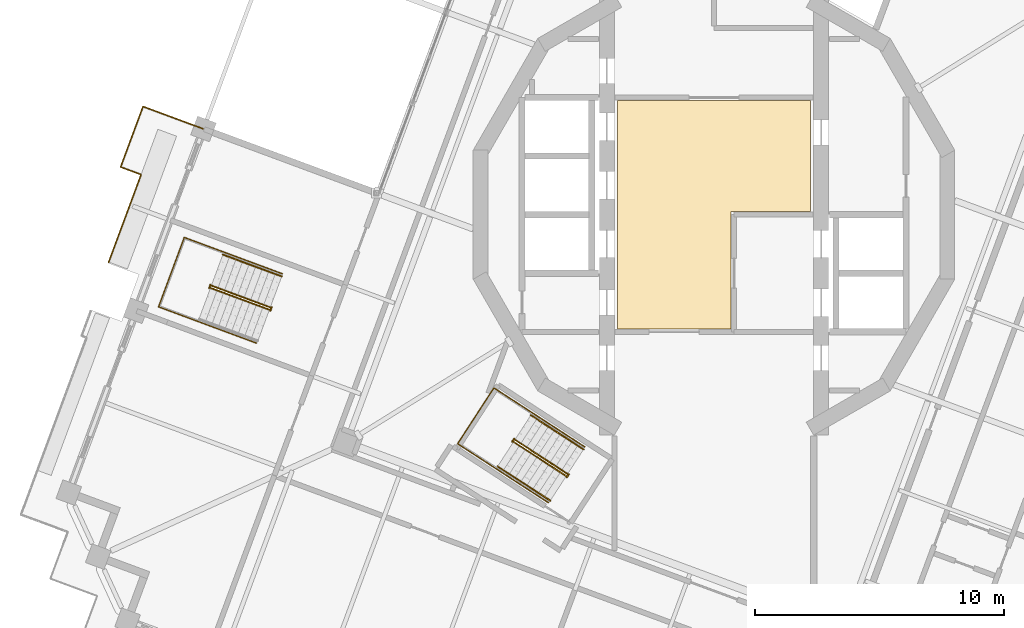
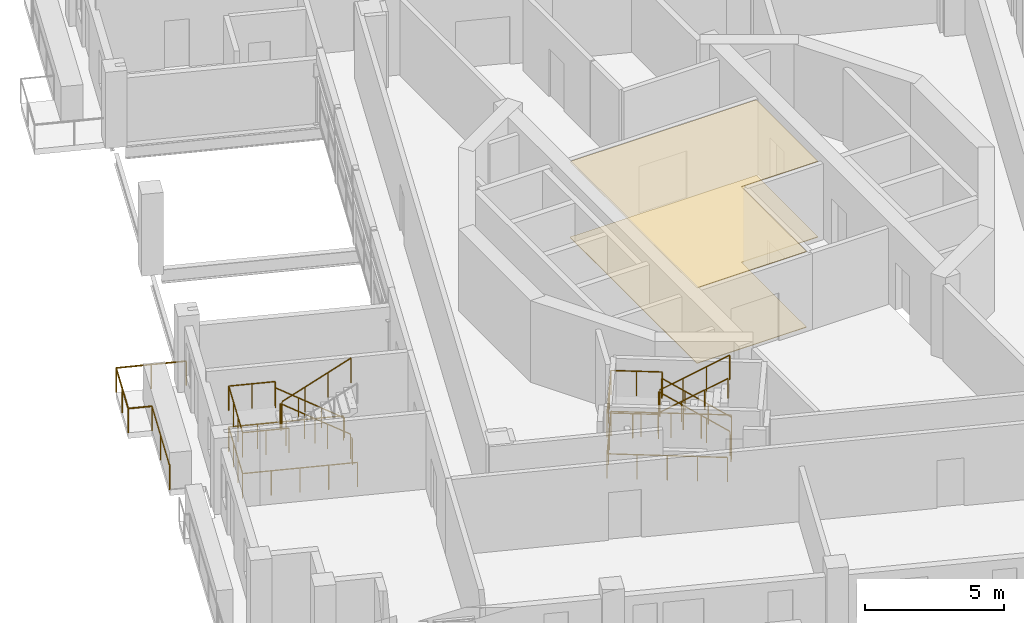
# One storey, part 16 of 20: 14 railings, 2 coverings.
"""IFC4 building model written with IfcOpenShell, lengths in metres."""

from ifc_helpers import new_model, si_unit, direction, frame, origin, origin_2d, place, context, subcontext, project, spatial, polyline, circle, outline, extrude, material, layer, layer_set, type_object, element, save


model = new_model("IFC4")

# Units and contexts
model_context = context("Model", 3, precision=1e-05, world=origin(), true_north=direction((0.0, 1.0)))
body_context = subcontext(model_context, "Body", "Model", "MODEL_VIEW")
ifc_project = project(units=[si_unit("LENGTHUNIT", "METRE"), si_unit("AREAUNIT", "SQUARE_METRE"), si_unit("VOLUMEUNIT", "CUBIC_METRE"), si_unit("PLANEANGLEUNIT", "RADIAN"), si_unit("MASSUNIT", "GRAM", prefix="KILO")], contexts=[model_context])

# Site, building, storey
site_placement = place(None, origin())
site = spatial("IfcSite", under=ifc_project, at=site_placement, CompositionType="ELEMENT")
building_placement = place(site_placement, origin())
building = spatial("IfcBuilding", under=site, at=building_placement, Name="Cantera Rosa Tower", CompositionType="ELEMENT")
storey_placement = place(building_placement, frame((0.0, 0.0, 313.300048828125)))
storey = spatial("IfcBuildingStorey", under=building, at=storey_placement, Name="L69", CompositionType="ELEMENT", Elevation=313.300048828125)

# Railings
ifc_material_1 = material(Name="Stainless steel and laminated glass", Category="steel")
railing_type_1 = type_object("IfcRailingType", Name="GUARD 1100", PredefinedType="BALUSTRADE", material=ifc_material_1)
railing_1_placement = place(storey_placement, frame((-24.29150390625, -1.918701171875, 0.0)))
element("IfcRailing", 1, at=railing_1_placement, inside=storey, type_object=railing_type_1, Name="GUARD L69-3", PredefinedType="BALUSTRADE", context=body_context, shape_type="SweptSolid", body=[
    extrude(circle(Radius=0.030029296875, at=origin_2d()), frame((0.0, 0.0, 1.070068359375), z_axis=(0.347529903095, 0.937668900228, 0.0), x_axis=(-0.937668900228, 0.347529903095, 0.0)), (0.0, 0.0, 1.0), 3.7626953125),
    extrude(circle(Radius=0.030029296875, at=origin_2d()), frame((1.3076171875, 3.528076171875, 1.070068359375), z_axis=(-0.937752120302, 0.347305284828, 0.0), x_axis=(-0.347305284828, -0.937752120302, 0.0)), (0.0, 0.0, 1.0), 0.876708984375),
    extrude(circle(Radius=0.030029296875, at=origin_2d()), frame((0.485595703125, 3.83251953125, 1.070068359375), z_axis=(0.347501802755, 0.937679314629, 0.0), x_axis=(-0.937679314629, 0.347501802755, 0.0)), (0.0, 0.0, 1.0), 2.587646484375),
    extrude(circle(Radius=0.030029296875, at=origin_2d()), frame((1.384765625, 6.2587890625, 1.070068359375), z_axis=(0.93769369014, -0.347463010219, 0.0), x_axis=(0.347463010219, 0.93769369014, 0.0)), (0.0, 0.0, 1.0), 2.5673828125),
    extrude(circle(Radius=0.02490234375, at=origin_2d()), origin(), (0.0, 0.0, 1.0), 1.0400390625),
    extrude(circle(Radius=0.02490234375, at=origin_2d()), frame((0.65380859375, 1.76416015625, 0.0)), (0.0, 0.0, 1.0), 1.0400390625),
    extrude(circle(Radius=0.02490234375, at=origin_2d()), frame((1.3076171875, 3.528076171875, 0.0)), (0.0, 0.0, 1.0), 1.0400390625),
    extrude(circle(Radius=0.02490234375, at=origin_2d()), frame((0.485595703125, 3.83251953125, 0.0)), (0.0, 0.0, 1.0), 1.0400390625),
    extrude(circle(Radius=0.02490234375, at=origin_2d()), frame((0.93505859375, 5.045654296875, 0.0)), (0.0, 0.0, 1.0), 1.0400390625),
    extrude(circle(Radius=0.02490234375, at=origin_2d()), frame((1.384765625, 6.2587890625, 0.0)), (0.0, 0.0, 1.0), 1.0400390625),
    extrude(circle(Radius=0.02490234375, at=origin_2d()), frame((2.58837890625, 5.812744140625, 0.0)), (0.0, 0.0, 1.0), 1.0400390625),
    extrude(circle(Radius=0.02490234375, at=origin_2d()), frame((3.792236328125, 5.36669921875, 0.0)), (0.0, 0.0, 1.0), 1.0400390625),
])
ifc_material_2 = material(Name="Steel S355J2 (EN 10025-2)", Category="steel")
railing_type_2 = type_object("IfcRailingType", Name="STAIR GUARD 1100", PredefinedType="GUARDRAIL", material=ifc_material_2)
railing_2_placement = place(storey_placement, frame((-17.802490234375, -3.721923828125, 0.179931640625)))
element("IfcRailing", 2, at=railing_2_placement, inside=storey, type_object=railing_type_2, Name="L69 ST-63 stair guard 1", PredefinedType="GUARDRAIL", context=body_context, shape_type="SweptSolid", body=[
    extrude(circle(Radius=0.02392578125, at=origin_2d()), frame((0.0, 0.0, 1.076171875), z_axis=(-0.788747577403, 0.292306804437, 0.540771662738), x_axis=(-0.347500508527, -0.937679794265, 0.0)), (0.0, 0.0, 1.0), 2.995849609375),
    extrude(circle(Radius=0.02392578125, at=origin_2d()), frame((-2.363037109375, 0.875732421875, 2.6962890625), z_axis=(-0.671593765389, 0.740919573429, 0.0), x_axis=(-0.740919573429, -0.671593765389, 0.0)), (0.0, 0.0, 1.0), 0.056396484375),
    extrude(circle(Radius=0.02392578125, at=origin_2d()), frame((-2.40087890625, 0.91748046875, 2.6962890625), z_axis=(-0.348268249601, -0.937394914814, 0.0), x_axis=(0.937394914814, -0.348268249601, 0.0)), (0.0, 0.0, 1.0), 0.14990234375),
    extrude(circle(Radius=0.02099609375, at=origin_2d()), origin(), (0.0, 0.0, 1.0), 1.052001953125),
    extrude(circle(Radius=0.02099609375, at=origin_2d()), frame((-0.78759765625, 0.2919921875, 0.5400390625)), (0.0, 0.0, 1.0), 1.052001953125),
    extrude(circle(Radius=0.02099609375, at=origin_2d()), frame((-1.575439453125, 0.583740234375, 1.080078125)), (0.0, 0.0, 1.0), 1.052001953125),
    extrude(circle(Radius=0.02099609375, at=origin_2d()), frame((-2.363037109375, 0.875732421875, 1.6201171875)), (0.0, 0.0, 1.0), 1.052001953125),
    extrude(circle(Radius=0.02099609375, at=origin_2d()), frame((-2.40087890625, 0.91748046875, 1.6201171875)), (0.0, 0.0, 1.0), 1.052001953125),
    extrude(circle(Radius=0.02099609375, at=origin_2d()), frame((-2.453125, 0.77685546875, 1.6201171875)), (0.0, 0.0, 1.0), 1.052001953125),
])
railing_3_placement = place(storey_placement, frame((-20.19970703125, -2.93798828125, 1.97998046875)))
element("IfcRailing", 3, at=railing_3_placement, inside=storey, type_object=railing_type_2, Name="L69 ST-63 stair guard 2", PredefinedType="GUARDRAIL", context=body_context, shape_type="SweptSolid", body=[
    extrude(circle(Radius=0.02392578125, at=origin_2d()), frame((0.0, 0.0, 1.076171875), z_axis=(0.78878233546, -0.292319685639, 0.540713998944), x_axis=(0.347500508527, 0.937679794265, 0.0)), (0.0, 0.0, 1.0), 2.995849609375),
    extrude(circle(Radius=0.02099609375, at=origin_2d()), origin(), (0.0, 0.0, 1.0), 1.052001953125),
    extrude(circle(Radius=0.02099609375, at=origin_2d()), frame((0.78759765625, -0.2919921875, 0.5400390625)), (0.0, 0.0, 1.0), 1.052001953125),
    extrude(circle(Radius=0.02099609375, at=origin_2d()), frame((1.575439453125, -0.583740234375, 1.079833984375)), (0.0, 0.0, 1.0), 1.052001953125),
    extrude(circle(Radius=0.02099609375, at=origin_2d()), frame((2.363037109375, -0.875732421875, 1.619873046875)), (0.0, 0.0, 1.0), 1.052001953125),
])
railing_4_placement = place(storey_placement, frame((-17.74658203125, -3.71484375, 0.0)))
element("IfcRailing", 4, at=railing_4_placement, inside=storey, type_object=railing_type_2, Name="L69 ST-63 stair guard 3", PredefinedType="GUARDRAIL", context=body_context, shape_type="SweptSolid", body=[
    extrude(circle(Radius=0.02392578125, at=origin_2d()), frame((0.0, 0.0, 1.076171875), z_axis=(-0.348268249601, -0.937394914814, 0.0), x_axis=(0.937394914814, -0.348268249601, 0.0)), (0.0, 0.0, 1.0), 0.14990234375),
    extrude(circle(Radius=0.02099609375, at=origin_2d()), origin(), (0.0, 0.0, 1.0), 1.052001953125),
    extrude(circle(Radius=0.02099609375, at=origin_2d()), frame((-0.05224609375, -0.140625, 0.0)), (0.0, 0.0, 1.0), 1.052001953125),
])
railing_5_placement = place(storey_placement, frame((-17.31494140625, -2.37109375, 0.0)))
element("IfcRailing", 5, at=railing_5_placement, inside=storey, type_object=railing_type_2, Name="L69 ST-63 stair guard 4", PredefinedType="GUARDRAIL", context=body_context, shape_type="SweptSolid", body=[
    extrude(circle(Radius=0.02392578125, at=origin_2d()), frame((0.0, 0.0, 1.076171875), z_axis=(-0.937682096729, 0.3474942956, 0.0), x_axis=(-0.3474942956, -0.937682096729, 0.0)), (0.0, 0.0, 1.0), 4.197998046875),
    extrude(circle(Radius=0.02392578125, at=origin_2d()), frame((-3.936279296875, 1.458740234375, 1.076171875), z_axis=(-0.347472311651, -0.937690243436, 0.0), x_axis=(0.937690243436, -0.347472311651, 0.0)), (0.0, 0.0, 1.0), 2.969970703125),
    extrude(circle(Radius=0.02392578125, at=origin_2d()), frame((-4.96826171875, -1.326171875, 1.076171875), z_axis=(0.937682096729, -0.3474942956, 0.0), x_axis=(0.3474942956, 0.937682096729, 0.0)), (0.0, 0.0, 1.0), 4.197998046875),
    extrude(circle(Radius=0.02099609375, at=origin_2d()), origin(), (0.0, 0.0, 1.0), 1.052001953125),
    extrude(circle(Radius=0.02099609375, at=origin_2d()), frame((-0.984130859375, 0.36474609375, 0.0)), (0.0, 0.0, 1.0), 1.052001953125),
    extrude(circle(Radius=0.02099609375, at=origin_2d()), frame((-1.96826171875, 0.7294921875, 0.0)), (0.0, 0.0, 1.0), 1.052001953125),
    extrude(circle(Radius=0.02099609375, at=origin_2d()), frame((-2.9521484375, 1.093994140625, 0.0)), (0.0, 0.0, 1.0), 1.052001953125),
    extrude(circle(Radius=0.02099609375, at=origin_2d()), frame((-3.936279296875, 1.458740234375, 0.0)), (0.0, 0.0, 1.0), 1.052001953125),
    extrude(circle(Radius=0.02099609375, at=origin_2d()), frame((-4.2802734375, 0.530517578125, 0.0)), (0.0, 0.0, 1.0), 1.052001953125),
    extrude(circle(Radius=0.02099609375, at=origin_2d()), frame((-4.624267578125, -0.39794921875, 0.0)), (0.0, 0.0, 1.0), 1.052001953125),
    extrude(circle(Radius=0.02099609375, at=origin_2d()), frame((-4.96826171875, -1.326171875, 0.0)), (0.0, 0.0, 1.0), 1.052001953125),
    extrude(circle(Radius=0.02099609375, at=origin_2d()), frame((-3.984130859375, -1.69091796875, 0.0)), (0.0, 0.0, 1.0), 1.052001953125),
    extrude(circle(Radius=0.02099609375, at=origin_2d()), frame((-3.0, -2.0556640625, 0.0)), (0.0, 0.0, 1.0), 1.052001953125),
    extrude(circle(Radius=0.02099609375, at=origin_2d()), frame((-2.01611328125, -2.420166015625, 0.0)), (0.0, 0.0, 1.0), 1.052001953125),
    extrude(circle(Radius=0.02099609375, at=origin_2d()), frame((-1.031982421875, -2.784912109375, 0.0)), (0.0, 0.0, 1.0), 1.052001953125),
])
railing_6_placement = place(storey_placement, frame((-19.6552734375, -1.50390625, 1.800048828125)))
element("IfcRailing", 6, at=railing_6_placement, inside=storey, type_object=railing_type_2, Name="L69 ST-63 stair guard 5", PredefinedType="GUARDRAIL", context=body_context, shape_type="SweptSolid", body=[
    extrude(circle(Radius=0.02392578125, at=origin_2d()), frame((0.0, 0.0, 1.076171875), z_axis=(-0.937660486946, 0.347552602091, 0.0), x_axis=(-0.347552602091, -0.937660486946, 0.0)), (0.0, 0.0, 1.0), 1.7021484375),
    extrude(circle(Radius=0.02392578125, at=origin_2d()), frame((-1.595947265625, 0.591552734375, 1.076171875), z_axis=(-0.347472311651, -0.937690243436, 0.0), x_axis=(0.937690243436, -0.347472311651, 0.0)), (0.0, 0.0, 1.0), 2.969970703125),
    extrude(circle(Radius=0.02392578125, at=origin_2d()), frame((-2.6279296875, -2.193359375, 1.076171875), z_axis=(0.937660486946, -0.347552602091, 0.0), x_axis=(0.347552602091, 0.937660486946, 0.0)), (0.0, 0.0, 1.0), 1.7021484375),
    extrude(circle(Radius=0.02099609375, at=origin_2d()), origin(), (0.0, 0.0, 1.0), 1.052001953125),
    extrude(circle(Radius=0.02099609375, at=origin_2d()), frame((-0.7978515625, 0.2958984375, 0.0)), (0.0, 0.0, 1.0), 1.052001953125),
    extrude(circle(Radius=0.02099609375, at=origin_2d()), frame((-1.595947265625, 0.591552734375, 0.0)), (0.0, 0.0, 1.0), 1.052001953125),
    extrude(circle(Radius=0.02099609375, at=origin_2d()), frame((-1.93994140625, -0.336669921875, 0.0)), (0.0, 0.0, 1.0), 1.052001953125),
    extrude(circle(Radius=0.02099609375, at=origin_2d()), frame((-2.283935546875, -1.26513671875, 0.0)), (0.0, 0.0, 1.0), 1.052001953125),
    extrude(circle(Radius=0.02099609375, at=origin_2d()), frame((-2.6279296875, -2.193359375, 0.0)), (0.0, 0.0, 1.0), 1.052001953125),
    extrude(circle(Radius=0.02099609375, at=origin_2d()), frame((-1.830078125, -2.4892578125, 0.0)), (0.0, 0.0, 1.0), 1.052001953125),
    extrude(circle(Radius=0.02099609375, at=origin_2d()), frame((-1.031982421875, -2.784912109375, 0.0)), (0.0, 0.0, 1.0), 1.052001953125),
])
railing_7_placement = place(storey_placement, frame((-5.873291015625, -10.403076171875, 0.179931640625)))
element("IfcRailing", 7, at=railing_7_placement, inside=storey, type_object=railing_type_2, Name="L69 ST-64 stair guard 1", PredefinedType="GUARDRAIL", context=body_context, shape_type="SweptSolid", body=[
    extrude(circle(Radius=0.02392578125, at=origin_2d()), frame((0.0, 0.0, 1.076171875), z_axis=(-0.705462015847, 0.458138784, 0.540770005448), x_axis=(-0.544644381691, -0.838667095749, 0.0)), (0.0, 0.0, 1.0), 2.995849609375),
    extrude(circle(Radius=0.02392578125, at=origin_2d()), frame((-2.113525390625, 1.37255859375, 2.6962890625), z_axis=(-0.49520304401, 0.868777270193, 0.0), x_axis=(-0.868777270193, -0.49520304401, 0.0)), (0.0, 0.0, 1.0), 0.05615234375),
    extrude(circle(Radius=0.02392578125, at=origin_2d()), frame((-2.141357421875, 1.42138671875, 2.6962890625), z_axis=(-0.544129121324, -0.839001489467, 0.0), x_axis=(0.839001489467, -0.544129121324, 0.0)), (0.0, 0.0, 1.0), 0.14990234375),
    extrude(circle(Radius=0.02099609375, at=origin_2d()), origin(), (0.0, 0.0, 1.0), 1.052001953125),
    extrude(circle(Radius=0.02099609375, at=origin_2d()), frame((-0.70458984375, 0.45751953125, 0.5400390625)), (0.0, 0.0, 1.0), 1.052001953125),
    extrude(circle(Radius=0.02099609375, at=origin_2d()), frame((-1.408935546875, 0.9150390625, 1.080078125)), (0.0, 0.0, 1.0), 1.052001953125),
    extrude(circle(Radius=0.02099609375, at=origin_2d()), frame((-2.113525390625, 1.37255859375, 1.6201171875)), (0.0, 0.0, 1.0), 1.052001953125),
    extrude(circle(Radius=0.02099609375, at=origin_2d()), frame((-2.141357421875, 1.42138671875, 1.6201171875)), (0.0, 0.0, 1.0), 1.052001953125),
    extrude(circle(Radius=0.02099609375, at=origin_2d()), frame((-2.222900390625, 1.295654296875, 1.6201171875)), (0.0, 0.0, 1.0), 1.052001953125),
])
railing_8_placement = place(storey_placement, frame((-8.040283203125, -9.11279296875, 1.97998046875)))
element("IfcRailing", 8, at=railing_8_placement, inside=storey, type_object=railing_type_2, Name="L69 ST-64 stair guard 2", PredefinedType="GUARDRAIL", context=body_context, shape_type="SweptSolid", body=[
    extrude(circle(Radius=0.02392578125, at=origin_2d()), frame((0.0, 0.0, 1.076171875), z_axis=(0.705493103535, -0.458158972863, 0.540712341684), x_axis=(0.544644381691, 0.838667095749, 0.0)), (0.0, 0.0, 1.0), 2.995849609375),
    extrude(circle(Radius=0.02099609375, at=origin_2d()), origin(), (0.0, 0.0, 1.0), 1.052001953125),
    extrude(circle(Radius=0.02099609375, at=origin_2d()), frame((0.70458984375, -0.45751953125, 0.5400390625)), (0.0, 0.0, 1.0), 1.052001953125),
    extrude(circle(Radius=0.02099609375, at=origin_2d()), frame((1.408935546875, -0.9150390625, 1.079833984375)), (0.0, 0.0, 1.0), 1.052001953125),
    extrude(circle(Radius=0.02099609375, at=origin_2d()), frame((2.113525390625, -1.37255859375, 1.619873046875)), (0.0, 0.0, 1.0), 1.052001953125),
])
railing_9_placement = place(storey_placement, frame((-5.8173828125, -10.408447265625, 0.0)))
element("IfcRailing", 9, at=railing_9_placement, inside=storey, type_object=railing_type_2, Name="L69 ST-64 stair guard 3", PredefinedType="GUARDRAIL", context=body_context, shape_type="SweptSolid", body=[
    extrude(circle(Radius=0.02392578125, at=origin_2d()), frame((0.0, 0.0, 1.076171875), z_axis=(-0.543386185195, -0.839482848984, 0.0), x_axis=(0.839482848984, -0.543386185195, 0.0)), (0.0, 0.0, 1.0), 0.150146484375),
    extrude(circle(Radius=0.02099609375, at=origin_2d()), origin(), (0.0, 0.0, 1.0), 1.052001953125),
    extrude(circle(Radius=0.02099609375, at=origin_2d()), frame((-0.08154296875, -0.1259765625, 0.0)), (0.0, 0.0, 1.0), 1.052001953125),
])
railing_10_placement = place(storey_placement, frame((-5.18310546875, -9.318115234375, 0.0)))
element("IfcRailing", 10, at=railing_10_placement, inside=storey, type_object=railing_type_2, Name="L69 ST-64 stair guard 4", PredefinedType="GUARDRAIL", context=body_context, shape_type="SweptSolid", body=[
    extrude(circle(Radius=0.02392578125, at=origin_2d()), frame((0.0, 0.0, 1.076171875), z_axis=(-0.838659072691, 0.544656735746, 0.0), x_axis=(-0.544656735746, -0.838659072691, 0.0)), (0.0, 0.0, 1.0), 4.347900390625),
    extrude(circle(Radius=0.02392578125, at=origin_2d()), frame((-3.646484375, 2.3681640625, 1.076171875), z_axis=(-0.544615466587, -0.838685872991, 0.0), x_axis=(0.838685872991, -0.544615466587, 0.0)), (0.0, 0.0, 1.0), 2.669921875),
    extrude(circle(Radius=0.02392578125, at=origin_2d()), frame((-5.1005859375, 0.12890625, 1.076171875), z_axis=(0.838659072691, -0.544656735746, 0.0), x_axis=(0.544656735746, 0.838659072691, 0.0)), (0.0, 0.0, 1.0), 4.347900390625),
    extrude(circle(Radius=0.02099609375, at=origin_2d()), origin(), (0.0, 0.0, 1.0), 1.052001953125),
    extrude(circle(Radius=0.02099609375, at=origin_2d()), frame((-0.91162109375, 0.592041015625, 0.0)), (0.0, 0.0, 1.0), 1.052001953125),
    extrude(circle(Radius=0.02099609375, at=origin_2d()), frame((-1.8232421875, 1.18408203125, 0.0)), (0.0, 0.0, 1.0), 1.052001953125),
    extrude(circle(Radius=0.02099609375, at=origin_2d()), frame((-2.73486328125, 1.776123046875, 0.0)), (0.0, 0.0, 1.0), 1.052001953125),
    extrude(circle(Radius=0.02099609375, at=origin_2d()), frame((-3.646484375, 2.3681640625, 0.0)), (0.0, 0.0, 1.0), 1.052001953125),
    extrude(circle(Radius=0.02099609375, at=origin_2d()), frame((-4.131103515625, 1.621826171875, 0.0)), (0.0, 0.0, 1.0), 1.052001953125),
    extrude(circle(Radius=0.02099609375, at=origin_2d()), frame((-4.615966796875, 0.875244140625, 0.0)), (0.0, 0.0, 1.0), 1.052001953125),
    extrude(circle(Radius=0.02099609375, at=origin_2d()), frame((-5.1005859375, 0.12890625, 0.0)), (0.0, 0.0, 1.0), 1.052001953125),
    extrude(circle(Radius=0.02099609375, at=origin_2d()), frame((-4.18896484375, -0.463134765625, 0.0)), (0.0, 0.0, 1.0), 1.052001953125),
    extrude(circle(Radius=0.02099609375, at=origin_2d()), frame((-3.27734375, -1.05517578125, 0.0)), (0.0, 0.0, 1.0), 1.052001953125),
    extrude(circle(Radius=0.02099609375, at=origin_2d()), frame((-2.36572265625, -1.647216796875, 0.0)), (0.0, 0.0, 1.0), 1.052001953125),
    extrude(circle(Radius=0.02099609375, at=origin_2d()), frame((-1.4541015625, -2.2392578125, 0.0)), (0.0, 0.0, 1.0), 1.052001953125),
])
railing_11_placement = place(storey_placement, frame((-7.2763671875, -7.95849609375, 1.800048828125)))
element("IfcRailing", 11, at=railing_11_placement, inside=storey, type_object=railing_type_2, Name="L69 ST-64 stair guard 5", PredefinedType="GUARDRAIL", context=body_context, shape_type="SweptSolid", body=[
    extrude(circle(Radius=0.02392578125, at=origin_2d()), frame((0.0, 0.0, 1.076171875), z_axis=(-0.838702547883, 0.544589787064, 0.0), x_axis=(-0.544589787064, -0.838702547883, 0.0)), (0.0, 0.0, 1.0), 1.85205078125),
    extrude(circle(Radius=0.02392578125, at=origin_2d()), frame((-1.55322265625, 1.008544921875, 1.076171875), z_axis=(-0.544615466587, -0.838685872991, 0.0), x_axis=(0.838685872991, -0.544615466587, 0.0)), (0.0, 0.0, 1.0), 2.669921875),
    extrude(circle(Radius=0.02392578125, at=origin_2d()), frame((-3.00732421875, -1.230712890625, 1.076171875), z_axis=(0.838702547883, -0.544589787064, 0.0), x_axis=(0.544589787064, 0.838702547883, 0.0)), (0.0, 0.0, 1.0), 1.85205078125),
    extrude(circle(Radius=0.02099609375, at=origin_2d()), origin(), (0.0, 0.0, 1.0), 1.052001953125),
    extrude(circle(Radius=0.02099609375, at=origin_2d()), frame((-0.776611328125, 0.50439453125, 0.0)), (0.0, 0.0, 1.0), 1.052001953125),
    extrude(circle(Radius=0.02099609375, at=origin_2d()), frame((-1.55322265625, 1.008544921875, 0.0)), (0.0, 0.0, 1.0), 1.052001953125),
    extrude(circle(Radius=0.02099609375, at=origin_2d()), frame((-2.037841796875, 0.26220703125, 0.0)), (0.0, 0.0, 1.0), 1.052001953125),
    extrude(circle(Radius=0.02099609375, at=origin_2d()), frame((-2.522705078125, -0.484375, 0.0)), (0.0, 0.0, 1.0), 1.052001953125),
    extrude(circle(Radius=0.02099609375, at=origin_2d()), frame((-3.00732421875, -1.230712890625, 0.0)), (0.0, 0.0, 1.0), 1.052001953125),
    extrude(circle(Radius=0.02099609375, at=origin_2d()), frame((-2.230712890625, -1.73486328125, 0.0)), (0.0, 0.0, 1.0), 1.052001953125),
    extrude(circle(Radius=0.02099609375, at=origin_2d()), frame((-1.4541015625, -2.2392578125, 0.0)), (0.0, 0.0, 1.0), 1.052001953125),
])
ifc_material_3 = material(Name="Steel S355J2 (EN 10025-2)", Category="steel")
railing_type_3 = type_object("IfcRailingType", Name="STAIR HANDRAIL 900", PredefinedType="HANDRAIL", material=ifc_material_3)
railing_12_placement = place(storey_placement, frame((-17.341796875, -2.478515625, 0.179931640625)))
element("IfcRailing", 12, at=railing_12_placement, inside=storey, type_object=railing_type_3, Name="L69 ST-63 stair handrail 1", PredefinedType="HANDRAIL", context=body_context, shape_type="SweptSolid", body=[
    extrude(circle(Radius=0.02392578125, at=origin_2d()), frame((0.0, 0.0, 0.8759765625), z_axis=(-0.788747577403, 0.292306804437, 0.540771662738), x_axis=(-0.347500508527, -0.937679794265, 0.0)), (0.0, 0.0, 1.0), 2.995849609375),
    extrude(circle(Radius=0.02099609375, at=origin_2d()), origin(), (0.0, 0.0, 1.0), 0.851806640625),
    extrude(circle(Radius=0.02099609375, at=origin_2d()), frame((-0.78759765625, 0.2919921875, 0.5400390625)), (0.0, 0.0, 1.0), 0.851806640625),
    extrude(circle(Radius=0.02099609375, at=origin_2d()), frame((-1.575439453125, 0.583740234375, 1.080078125)), (0.0, 0.0, 1.0), 0.851806640625),
    extrude(circle(Radius=0.02099609375, at=origin_2d()), frame((-2.363037109375, 0.875732421875, 1.6201171875)), (0.0, 0.0, 1.0), 0.851806640625),
])
railing_13_placement = place(storey_placement, frame((-5.23291015625, -9.416748046875, 0.179931640625)))
element("IfcRailing", 13, at=railing_13_placement, inside=storey, type_object=railing_type_3, Name="L69 ST-64 stair handrail 1", PredefinedType="HANDRAIL", context=body_context, shape_type="SweptSolid", body=[
    extrude(circle(Radius=0.02392578125, at=origin_2d()), frame((0.0, 0.0, 0.8759765625), z_axis=(-0.705488352623, 0.458074394142, 0.540790193832), x_axis=(-0.544576236413, -0.838711346492, 0.0)), (0.0, 0.0, 1.0), 2.995849609375),
    extrude(circle(Radius=0.02099609375, at=origin_2d()), origin(), (0.0, 0.0, 1.0), 0.851806640625),
    extrude(circle(Radius=0.02099609375, at=origin_2d()), frame((-0.70458984375, 0.45751953125, 0.5400390625)), (0.0, 0.0, 1.0), 0.851806640625),
    extrude(circle(Radius=0.02099609375, at=origin_2d()), frame((-1.408935546875, 0.914794921875, 1.080078125)), (0.0, 0.0, 1.0), 0.851806640625),
    extrude(circle(Radius=0.02099609375, at=origin_2d()), frame((-2.113525390625, 1.372314453125, 1.6201171875)), (0.0, 0.0, 1.0), 0.851806640625),
])
railing_14_placement = place(storey_placement, frame((-8.6806640625, -10.09912109375, 1.97998046875)))
element("IfcRailing", 14, at=railing_14_placement, inside=storey, type_object=railing_type_3, Name="L69 ST-64 stair handrail 2", PredefinedType="HANDRAIL", context=body_context, shape_type="SweptSolid", body=[
    extrude(circle(Radius=0.02392578125, at=origin_2d()), frame((0.0, 0.0, 0.8759765625), z_axis=(0.705493103535, -0.458158972863, 0.540712341684), x_axis=(0.544644381691, 0.838667095749, 0.0)), (0.0, 0.0, 1.0), 2.995849609375),
    extrude(circle(Radius=0.02099609375, at=origin_2d()), origin(), (0.0, 0.0, 1.0), 0.851806640625),
    extrude(circle(Radius=0.02099609375, at=origin_2d()), frame((0.70458984375, -0.45751953125, 0.5400390625)), (0.0, 0.0, 1.0), 0.851806640625),
    extrude(circle(Radius=0.02099609375, at=origin_2d()), frame((1.408935546875, -0.9150390625, 1.079833984375)), (0.0, 0.0, 1.0), 0.851806640625),
    extrude(circle(Radius=0.02099609375, at=origin_2d()), frame((2.113525390625, -1.37255859375, 1.619873046875)), (0.0, 0.0, 1.0), 0.851806640625),
])

# Coverings
ifc_material_4 = material(Name="Limestone paving", Category="masonry")
ifc_layer_1 = layer(ifc_material_4, 0.02490234375)
ifc_layer_set_1 = layer_set([ifc_layer_1], Name="STONE FLOOR FINISH 25")
covering_type_1 = type_object("IfcCoveringType", Name="STONE FLOOR FINISH 25", PredefinedType="FLOORING", material=ifc_layer_set_1)
covering_1_placement = place(storey_placement, origin())
element("IfcCovering", 15, at=covering_1_placement, inside=storey, type_object=covering_type_1, Name="STONE FLOOR FINISH L69", PredefinedType="FLOORING", context=body_context, shape_type="SweptSolid", body=[
    extrude(outline(polyline([(3.8798828125, 4.580078125), (3.8798828125, 0.1201171875), (0.679931640625, 0.1201171875), (0.679931640625, -4.580078125), (-3.8798828125, -4.580078125), (-3.8798828125, 4.580078125), (3.8798828125, 4.580078125)])), origin(), (0.0, 0.0, 1.0), 0.02490234375),
])
ifc_material_5 = material(Name="Gypsum ceiling tile")
ifc_layer_2 = layer(ifc_material_5, 0.030029296875)
ifc_layer_set_2 = layer_set([ifc_layer_2], Name="SUSPENDED CEILING 30")
covering_type_2 = type_object("IfcCoveringType", Name="SUSPENDED CEILING 30", PredefinedType="CEILING", material=ifc_layer_set_2)
covering_2_placement = place(storey_placement, frame((0.0, 0.0, 3.320068359375)))
element("IfcCovering", 16, at=covering_2_placement, inside=storey, type_object=covering_type_2, Name="SUSPENDED CEILING L69", PredefinedType="CEILING", context=body_context, shape_type="SweptSolid", body=[
    extrude(outline(polyline([(3.8798828125, 4.580078125), (3.8798828125, 0.1201171875), (0.679931640625, 0.1201171875), (0.679931640625, -4.580078125), (-3.8798828125, -4.580078125), (-3.8798828125, 4.580078125), (3.8798828125, 4.580078125)])), origin(), (0.0, 0.0, 1.0), 0.02978515625),
])

save(model, "model.ifc")
